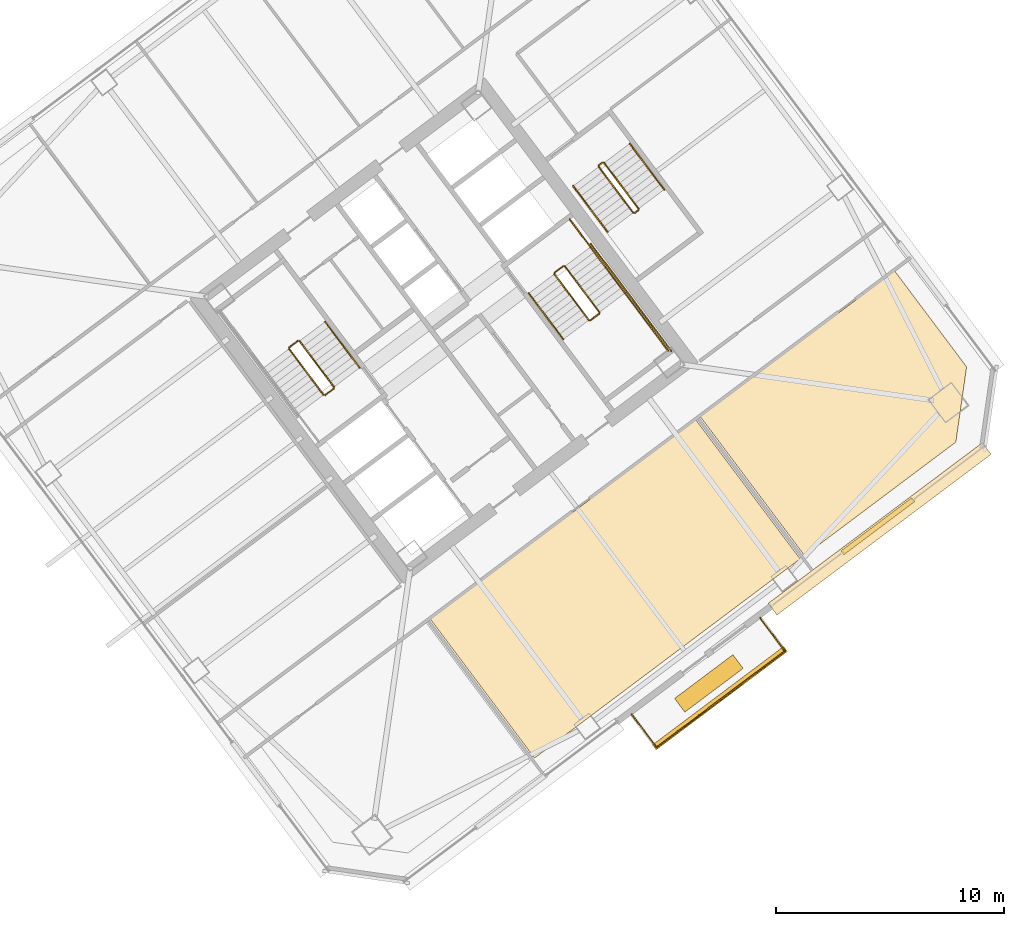
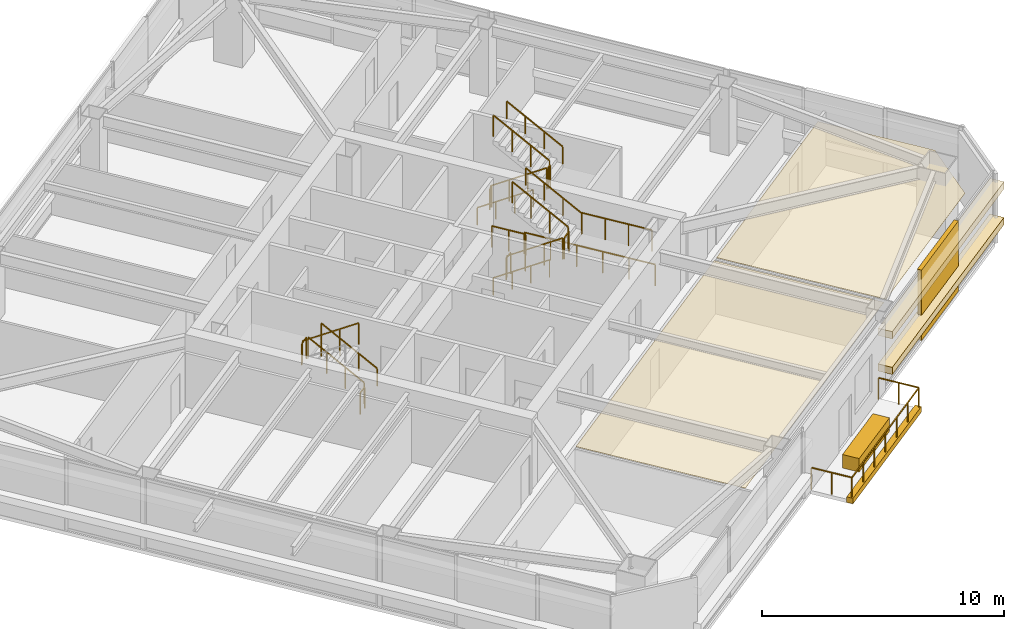
# One storey, part 45 of 46: 23 railings, 7 coverings.
"""IFC4 building model written with IfcOpenShell, lengths in metres."""

import ifcopenshell
import ifcopenshell.guid

model = None  # the IFC model being written
_history = None  # IfcOwnerHistory: only IFC2X3 demands one
_inside = {}  # id of a spatial element -> (the spatial element, [elements in it])
_under = {}  # id of a project, library or spatial element -> (it, [spatial elements below it])
_declared = {}  # id of a project -> (the project, [libraries it declares])
_typed = {}  # id of a type object -> (the type object, [elements of that type])
_made_of = {}  # id of a material, layer set ... -> (it, [elements and type objects made of it])


def new_model(schema):
    """Start an empty IFC model of exactly this schema.

    Asked for "IFC4X3", IfcOpenShell would pick the latest addendum, in which some entities
    have other attributes; the version numbers below select the first issue.
    IFC2X3 requires an IfcOwnerHistory on every rooted entity: one is made here for all.
    """
    global model, _history
    if schema == "IFC4X3":
        model = ifcopenshell.file(schema_version=(4, 3, 0, 0))
    else:
        model = ifcopenshell.file(schema=schema)
    _inside.clear()
    _under.clear()
    _declared.clear()
    _typed.clear()
    _made_of.clear()
    _history = None
    if model.schema == "IFC2X3":
        org = make("IfcOrganization", Name="unknown")
        user = make(
            "IfcPersonAndOrganization",
            ThePerson=make("IfcPerson", FamilyName="unknown"),
            TheOrganization=org,
        )
        app = make(
            "IfcApplication",
            ApplicationDeveloper=org,
            Version="unknown",
            ApplicationFullName="unknown",
            ApplicationIdentifier="unknown",
        )
        _history = make(
            "IfcOwnerHistory",
            OwningUser=user,
            OwningApplication=app,
            ChangeAction="ADDED",
            CreationDate=0,
        )
    return model


def make(cls, **values):
    """One entity of the class cls with the attributes given. An attribute that is None is left unset."""
    return model.create_entity(
        cls, **{name: value for name, value in values.items() if value is not None}
    )


def rooted(cls, **values):
    """An entity with a GlobalId (a new one), such as an element, a storey or a relation."""
    return make(cls, GlobalId=ifcopenshell.guid.new(), OwnerHistory=_history, **values)


def si_unit(unit_type, name, prefix=None):
    """IfcSIUnit, for example si_unit("LENGTHUNIT", "METRE", prefix="MILLI")."""
    return make("IfcSIUnit", UnitType=unit_type, Prefix=prefix, Name=name)


def assignment(units):
    """IfcUnitAssignment: the units of a project."""
    return None if units is None else make("IfcUnitAssignment", Units=units)


def point(xyz):
    """IfcCartesianPoint."""
    return None if xyz is None else make("IfcCartesianPoint", Coordinates=xyz)


def direction(xyz):
    """IfcDirection."""
    return None if xyz is None else make("IfcDirection", DirectionRatios=xyz)


def frame(location, z_axis=None, x_axis=None):
    """IfcAxis2Placement3D, a coordinate frame: its origin and axes. An axis left out is left unset."""
    return make(
        "IfcAxis2Placement3D",
        Location=point(location),
        Axis=direction(z_axis),
        RefDirection=direction(x_axis),
    )


def frame_2d(location, x_axis=None):
    """IfcAxis2Placement2D, a coordinate frame in the plane: its origin and x axis."""
    return make(
        "IfcAxis2Placement2D", Location=point(location), RefDirection=direction(x_axis)
    )


def origin():
    """The frame at (0, 0, 0) with its axes left unset."""
    return frame((0.0, 0.0, 0.0))


def origin_2d():
    """The frame at (0, 0) in the plane with its x axis left unset."""
    return frame_2d((0.0, 0.0))


def place(relative_to, where):
    """IfcLocalPlacement: puts the frame where relative to a parent placement (None: the world)."""
    return make(
        "IfcLocalPlacement", PlacementRelTo=relative_to, RelativePlacement=where
    )


def context(
    kind, dimensions, precision=None, world=None, true_north=None, identifier=None
):
    """IfcGeometricRepresentationContext, for example the 3D "Model" context."""
    return make(
        "IfcGeometricRepresentationContext",
        ContextIdentifier=identifier,
        ContextType=kind,
        CoordinateSpaceDimension=dimensions,
        Precision=precision,
        WorldCoordinateSystem=world,
        TrueNorth=true_north,
    )


def subcontext(parent, identifier, kind, view, scale=None):
    """IfcGeometricRepresentationSubContext, for example "Body" below "Model"."""
    return make(
        "IfcGeometricRepresentationSubContext",
        ContextIdentifier=identifier,
        ContextType=kind,
        ParentContext=parent,
        TargetScale=scale,
        TargetView=view,
    )


def project(units=None, contexts=None):
    """IfcProject with its units and contexts."""
    return rooted(
        "IfcProject",
        Name="project",
        RepresentationContexts=contexts,
        UnitsInContext=assignment(units),
    )


def spatial(cls, under=None, at=None, **own):
    """A site, building, storey or space (cls), placed at a placement, below another one or the project."""
    s = rooted(cls, ObjectPlacement=at, **own)
    if under is not None:
        _under.setdefault(under.id(), (under, []))[1].append(s)
    return s


def polyline(points):
    """IfcPolyline through the points."""
    return make("IfcPolyline", Points=[point(p) for p in points])


def profile(cls, at=None, kind="AREA", **sizes):
    """A parametric profile (cls). Its sizes go by their IFC names, for example OverallWidth=200.0."""
    return make(cls, ProfileType=kind, Position=at, **sizes)


def rectangle(**sizes):
    """IfcRectangleProfileDef."""
    return profile("IfcRectangleProfileDef", **sizes)


def outline(outer, holes=None, kind="AREA"):
    """IfcArbitraryClosedProfileDef: a profile drawn as a closed curve; with holes, ...WithVoids."""
    if holes is None:
        return make("IfcArbitraryClosedProfileDef", ProfileType=kind, OuterCurve=outer)
    return make(
        "IfcArbitraryProfileDefWithVoids",
        ProfileType=kind,
        OuterCurve=outer,
        InnerCurves=holes,
    )


def extrude(swept, where, along, depth):
    """IfcExtrudedAreaSolid: the profile swept, set in the frame where, extruded along a direction by depth."""
    return make(
        "IfcExtrudedAreaSolid",
        SweptArea=swept,
        Position=where,
        ExtrudedDirection=direction(along),
        Depth=depth,
    )


def shape(context_of_items, identifier, shape_type, items):
    """IfcShapeRepresentation: the items that make up one representation, for example the "Body"."""
    return make(
        "IfcShapeRepresentation",
        ContextOfItems=context_of_items,
        RepresentationIdentifier=identifier,
        RepresentationType=shape_type,
        Items=items,
    )


def material(Name=None, Category=None):
    """IfcMaterial."""
    return make("IfcMaterial", Name=Name, Category=Category)


def layer(
    of_material, thickness, ventilated=None, Name=None, Category=None, Priority=None
):
    """IfcMaterialLayer: one layer of a wall or slab, of a material (None: an air gap)."""
    return make(
        "IfcMaterialLayer",
        Material=of_material,
        LayerThickness=thickness,
        IsVentilated=ventilated,
        Name=Name,
        Category=Category,
        Priority=Priority,
    )


def layer_set(layers, Name=None):
    """IfcMaterialLayerSet."""
    return make("IfcMaterialLayerSet", MaterialLayers=layers, LayerSetName=Name)


def made_of(thing, what):
    """Note that an element or type object is made of a material, layer set ...; save() writes the relation."""
    if what is not None:
        _made_of.setdefault(what.id(), (what, []))[1].append(thing)
    return thing


def type_object(cls, material=None, **own):
    """A type object (cls), such as IfcWallType, which elements share."""
    return made_of(rooted(cls, **own), material)


def element(
    cls,
    number,
    at=None,
    inside=None,
    cuts=None,
    type_object=None,
    material=None,
    context=None,
    identifier="Body",
    shape_type=None,
    held_by="IfcProductDefinitionShape",
    body=None,
    shapes=None,
    **own,
):
    """One element of the class cls, such as IfcWall. Its Tag is "e" and its number.

    at: its placement. inside: the storey or other place that contains it. cuts: it is an
    opening in that element (IfcRelVoidsElement). A single representation is given by context,
    identifier, shape_type and body (its items); several are given by shapes. held_by: the class
    of the entity that holds the representations. save() writes the other relations.
    """
    e = rooted(cls, Tag="e%d" % number, ObjectPlacement=at, **own)
    if body is not None:
        shapes = [shape(context, identifier, shape_type, body)]
    if shapes is not None:
        e.Representation = make(held_by, Representations=shapes)
    if inside is not None:
        _inside.setdefault(inside.id(), (inside, []))[1].append(e)
    if cuts is not None:
        rooted(
            "IfcRelVoidsElement", RelatingBuildingElement=cuts, RelatedOpeningElement=e
        )
    if type_object is not None:
        _typed.setdefault(type_object.id(), (type_object, []))[1].append(e)
    return made_of(e, material)


def aggregate(whole, parts):
    """IfcRelAggregates: a whole, such as a stair, and the parts it consists of."""
    return rooted("IfcRelAggregates", RelatingObject=whole, RelatedObjects=parts)


def save(model, path):
    """Write the relations noted so far, then the file.

    IfcRelAggregates (storeys below a building ...), IfcRelContainedInSpatialStructure (elements
    in a storey), IfcRelDefinesByType, IfcRelAssociatesMaterial and IfcRelDeclares: one each for
    every whole, place, type object, material and project.
    """
    for whole, parts in _under.values():
        aggregate(whole, parts)
    for where, things in _inside.values():
        rooted(
            "IfcRelContainedInSpatialStructure",
            RelatedElements=things,
            RelatingStructure=where,
        )
    for kind, things in _typed.values():
        rooted("IfcRelDefinesByType", RelatedObjects=things, RelatingType=kind)
    for what, things in _made_of.values():
        rooted("IfcRelAssociatesMaterial", RelatedObjects=things, RelatingMaterial=what)
    for by, libraries in _declared.values():
        rooted("IfcRelDeclares", RelatingContext=by, RelatedDefinitions=libraries)
    model.write(path)


model = new_model("IFC4")

# Units and contexts
model_context = context("Model", 3, precision=1e-05, world=origin(), true_north=direction((0.0, 1.0)))
body_context = subcontext(model_context, "Body", "Model", "MODEL_VIEW")
ifc_project = project(units=[si_unit("LENGTHUNIT", "METRE"), si_unit("AREAUNIT", "SQUARE_METRE"), si_unit("VOLUMEUNIT", "CUBIC_METRE"), si_unit("PLANEANGLEUNIT", "RADIAN"), si_unit("MASSUNIT", "GRAM", prefix="KILO")], contexts=[model_context])

# Site, building, storey
site_placement = place(None, origin())
site = spatial("IfcSite", under=ifc_project, at=site_placement, CompositionType="ELEMENT")
building_placement = place(site_placement, origin())
building = spatial("IfcBuilding", under=site, at=building_placement, Name="Tashvorn Skyway Center", CompositionType="ELEMENT")
storey_placement = place(building_placement, frame((0.0, 0.0, 139.25)))
storey = spatial("IfcBuildingStorey", under=building, at=storey_placement, Name="L37", CompositionType="ELEMENT", Elevation=139.25)

# Coverings
ifc_material_1 = material(Name="Precast concrete C40/50", Category="concrete")
ifc_layer_1 = layer(ifc_material_1, 0.199951171875)
ifc_layer_set_1 = layer_set([ifc_layer_1], Name="Precast concrete C40/50")
covering_type_1 = type_object("IfcCoveringType", Name="COV-BRACE-CLAD", PredefinedType="CLADDING", material=ifc_layer_set_1)
covering_1_placement = place(storey_placement, frame((133.02001953125, 23.4150390625, 0.0), z_axis=(0.0, 0.0, 1.0), x_axis=(-0.799999996291, -0.600000004945, 0.0)))
element("IfcCovering", 1, at=covering_1_placement, inside=storey, type_object=covering_type_1, Name="Tower 2 L37 South Curtain Wall L Mega-Brace Cladding Band 1", PredefinedType="CLADDING", context=body_context, shape_type="SweptSolid", body=[
    extrude(rectangle(XDim=3.876708984375, YDim=0.199951171875, at=origin_2d()), origin(), (0.0, 0.0, 1.0), 3.550048828125),
])
ifc_material_2 = material(Name="Mineral-fibre acoustic ceiling tile on suspended grid")
ifc_layer_2 = layer(ifc_material_2, 0.02001953125)
ifc_layer_set_2 = layer_set([ifc_layer_2], Name="Mineral-fibre acoustic ceiling tile on suspended grid")
covering_type_2 = type_object("IfcCoveringType", Name="COV-CEIL-20", PredefinedType="CEILING", material=ifc_layer_set_2)
covering_2_placement = place(storey_placement, frame((0.0, 0.0, 2.702880859375)))
element("IfcCovering", 2, at=covering_2_placement, inside=storey, type_object=covering_type_2, Name="Tower 2 L37 Collaborative Studio Acoustic Ceiling", PredefinedType="CEILING", context=body_context, shape_type="SweptSolid", body=[
    extrude(outline(polyline([(113.39208984375, 19.343994140625), (125.0400390625, 28.080078125), (129.612060546875, 21.98388671875), (117.964111328125, 13.248046875), (113.39208984375, 19.343994140625)])), origin(), (0.0, 0.0, 1.0), 0.02001953125),
])
covering_3_placement = place(storey_placement, frame((0.0, 0.0, 2.702880859375)))
element("IfcCovering", 3, at=covering_3_placement, inside=storey, type_object=covering_type_2, Name="Tower 2 L37 Collaborative Studio Acoustic Ceiling", PredefinedType="CEILING", context=body_context, shape_type="SweptSolid", body=[
    extrude(outline(polyline([(129.803955078125, 22.1279296875), (125.23193359375, 28.22412109375), (133.760009765625, 34.6201171875), (136.916015625, 30.412109375), (136.444091796875, 27.10791015625), (129.803955078125, 22.1279296875)])), origin(), (0.0, 0.0, 1.0), 0.02001953125),
])
ifc_material_3 = material(Name="Perforated ceramic-coated bronze aluminium solar screen", Category="aluminium")
ifc_layer_3 = layer(ifc_material_3, 0.85009765625)
ifc_layer_set_3 = layer_set([ifc_layer_3], Name="Perforated ceramic-coated bronze aluminium solar screen")
covering_type_3 = type_object("IfcCoveringType", Name="COV-SOLAR-BAND", PredefinedType="CLADDING", material=ifc_layer_set_3)
for number, where, z_axis, x_axis, name in (
    (4, (133.10400390625, 23.302978515625, 0.919921875), (0.0, 0.0, 1.0), (-0.799999996291, -0.600000004945, 0.0), "L37 Perforated Ceramic-Metal Solar Screen Louvre Band South 1"),
    (5, (133.10400390625, 23.302978515625, 2.7197265625), (0.0, 0.0, 1.0), (-0.799999996291, -0.600000004945, 0.0), "L37 Perforated Ceramic-Metal Solar Screen Louvre Band South 2"),
):
    element("IfcCovering", number, at=place(storey_placement, frame(where, z_axis=z_axis, x_axis=x_axis)), inside=storey, type_object=covering_type_3, Name=name, PredefinedType="CLADDING", context=body_context, shape_type="SweptSolid", body=[
        extrude(rectangle(XDim=11.75, YDim=0.639892578125, at=origin_2d()), origin(), (0.0, 0.0, 1.0), 0.360107421875),
    ])
ifc_layer_4 = layer(ifc_material_1, 0.35009765625)
ifc_layer_set_4 = layer_set([ifc_layer_4], Name="Precast concrete C40/50")
covering_type_4 = type_object("IfcCoveringType", Name="COV-STONE-TRIM", PredefinedType="CLADDING", material=ifc_layer_set_4)
covering_4_placement = place(storey_placement, frame((126.095947265625, 15.8720703125, -0.16015625), z_axis=(0.0, 0.0, 1.0), x_axis=(-0.799999996291, -0.600000004945, 0.0)))
element("IfcCovering", 6, at=covering_4_placement, inside=storey, type_object=covering_type_4, Name="Tower 2 L37 Spiral Terrace Terracotta Fascia", PredefinedType="CLADDING", context=body_context, shape_type="SweptSolid", body=[
    extrude(rectangle(XDim=7.199951171875, YDim=0.280029296875, at=origin_2d()), origin(), (0.0, 0.0, 1.0), 0.280029296875),
])
covering_5_placement = place(storey_placement, frame((125.610107421875, 16.52001953125, 0.0), z_axis=(0.0, 0.0, 1.0), x_axis=(-0.799999996291, -0.600000004945, 0.0)))
element("IfcCovering", 7, at=covering_5_placement, inside=storey, type_object=covering_type_4, Name="Tower 2 L37 Spiral Terrace Planter", PredefinedType="CLADDING", context=body_context, shape_type="SweptSolid", body=[
    extrude(rectangle(XDim=3.199951171875, YDim=0.75, at=origin_2d()), origin(), (0.0, 0.0, 1.0), 0.679931640625),
])

# Railings
ifc_material_4 = material(Name="Galvanized steel S355", Category="steel")
railing_type_1 = type_object("IfcRailingType", Name="RAIL-GUARD-1120", PredefinedType="GUARDRAIL", material=ifc_material_4)
railing_1_placement = place(storey_placement, frame((122.22412109375, 15.16796875, 0.0)))
element("IfcRailing", 8, at=railing_1_placement, inside=storey, type_object=railing_type_1, Name="L37 Tower 2 Terrace Guardrail 01", PredefinedType="GUARDRAIL", context=body_context, shape_type="SweptSolid", body=[
    extrude(rectangle(XDim=0.048095703125, YDim=0.048095703125, at=origin_2d()), frame((0.0, 0.0, 1.09619140625), z_axis=(0.599914141212, -0.800064386893, 0.0), x_axis=(0.800064386893, 0.599914141212, 0.0)), (0.0, 0.0, 1.0), 1.81982421875),
    extrude(rectangle(XDim=0.0419921875, YDim=0.0419921875, at=origin_2d()), origin(), (0.0, 0.0, 1.0), 1.072021484375),
    extrude(rectangle(XDim=0.0419921875, YDim=0.0419921875, at=origin_2d()), frame((0.5458984375, -0.72802734375, 0.0)), (0.0, 0.0, 1.0), 1.072021484375),
    extrude(rectangle(XDim=0.0419921875, YDim=0.0419921875, at=origin_2d()), frame((1.091796875, -1.4560546875, 0.0)), (0.0, 0.0, 1.0), 1.072021484375),
])
railing_2_placement = place(storey_placement, frame((123.31591796875, 13.7119140625, 0.0)))
element("IfcRailing", 9, at=railing_2_placement, inside=storey, type_object=railing_type_1, Name="L37 Tower 2 Terrace Guardrail 02", PredefinedType="GUARDRAIL", context=body_context, shape_type="SweptSolid", body=[
    extrude(rectangle(XDim=0.048095703125, YDim=0.048095703125, at=origin_2d()), frame((0.0, 0.0, 1.09619140625), z_axis=(0.799995838574, 0.600005548528, 0.0), x_axis=(-0.600005548528, 0.799995838574, 0.0)), (0.0, 0.0, 1.0), 7.0400390625),
    extrude(rectangle(XDim=0.0419921875, YDim=0.0419921875, at=origin_2d()), origin(), (0.0, 0.0, 1.0), 1.072021484375),
    extrude(rectangle(XDim=0.0419921875, YDim=0.0419921875, at=origin_2d()), frame((0.938720703125, 0.7041015625, 0.0)), (0.0, 0.0, 1.0), 1.072021484375),
    extrude(rectangle(XDim=0.0419921875, YDim=0.0419921875, at=origin_2d()), frame((1.87744140625, 1.407958984375, 0.0)), (0.0, 0.0, 1.0), 1.072021484375),
    extrude(rectangle(XDim=0.0419921875, YDim=0.0419921875, at=origin_2d()), frame((2.81591796875, 2.112060546875, 0.0)), (0.0, 0.0, 1.0), 1.072021484375),
    extrude(rectangle(XDim=0.0419921875, YDim=0.0419921875, at=origin_2d()), frame((3.754638671875, 2.816162109375, 0.0)), (0.0, 0.0, 1.0), 1.072021484375),
    extrude(rectangle(XDim=0.0419921875, YDim=0.0419921875, at=origin_2d()), frame((4.693359375, 3.52001953125, 0.0)), (0.0, 0.0, 1.0), 1.072021484375),
    extrude(rectangle(XDim=0.0419921875, YDim=0.0419921875, at=origin_2d()), frame((5.632080078125, 4.22412109375, 0.0)), (0.0, 0.0, 1.0), 1.072021484375),
])
railing_3_placement = place(storey_placement, frame((128.947998046875, 17.93603515625, 0.0)))
element("IfcRailing", 10, at=railing_3_placement, inside=storey, type_object=railing_type_1, Name="L37 Tower 2 Terrace Guardrail 03", PredefinedType="GUARDRAIL", context=body_context, shape_type="SweptSolid", body=[
    extrude(rectangle(XDim=0.048095703125, YDim=0.048095703125, at=origin_2d()), frame((0.0, 0.0, 1.09619140625), z_axis=(-0.6, 0.8, 0.0), x_axis=(-0.8, -0.6, 0.0)), (0.0, 0.0, 1.0), 1.820068359375),
    extrude(rectangle(XDim=0.0419921875, YDim=0.0419921875, at=origin_2d()), origin(), (0.0, 0.0, 1.0), 1.072021484375),
    extrude(rectangle(XDim=0.0419921875, YDim=0.0419921875, at=origin_2d()), frame((-0.5458984375, 0.72802734375, 0.0)), (0.0, 0.0, 1.0), 1.072021484375),
    extrude(rectangle(XDim=0.0419921875, YDim=0.0419921875, at=origin_2d()), frame((-1.092041015625, 1.4560546875, 0.0)), (0.0, 0.0, 1.0), 1.072021484375),
])
ifc_material_5 = material(Name="Brushed stainless steel 316", Category="steel")
railing_type_2 = type_object("IfcRailingType", Name="RAIL-HAND-920", PredefinedType="HANDRAIL", material=ifc_material_5)
railing_4_placement = place(storey_placement, frame((110.2880859375, 30.365966796875, 0.177490234375)))
element("IfcRailing", 11, at=railing_4_placement, inside=storey, type_object=railing_type_2, Name="L37 ST-T2-1 stair handrail 1", PredefinedType="HANDRAIL", context=body_context, shape_type="SweptSolid", body=[
    extrude(rectangle(XDim=0.048095703125, YDim=0.048095703125, at=origin_2d()), frame((0.0, 0.0, 0.8759765625), z_axis=(-0.506801609611, 0.675680931896, 0.535357270211), x_axis=(-0.799976749893, -0.600030998891, 0.0)), (0.0, 0.0, 1.0), 2.98388671875),
    extrude(rectangle(XDim=0.0419921875, YDim=0.0419921875, at=origin_2d()), origin(), (0.0, 0.0, 1.0), 0.851806640625),
    extrude(rectangle(XDim=0.0419921875, YDim=0.0419921875, at=origin_2d()), frame((-0.504150390625, 0.672119140625, 0.532470703125)), (0.0, 0.0, 1.0), 0.851806640625),
    extrude(rectangle(XDim=0.0419921875, YDim=0.0419921875, at=origin_2d()), frame((-1.008056640625, 1.343994140625, 1.06494140625)), (0.0, 0.0, 1.0), 0.851806640625),
    extrude(rectangle(XDim=0.0419921875, YDim=0.0419921875, at=origin_2d()), frame((-1.51220703125, 2.01611328125, 1.597412109375)), (0.0, 0.0, 1.0), 0.851806640625),
])
railing_5_placement = place(storey_placement, frame((117.7119140625, 33.634033203125, 0.177490234375)))
element("IfcRailing", 12, at=railing_5_placement, inside=storey, type_object=railing_type_2, Name="L37 ST-T2-2 stair handrail 1", PredefinedType="HANDRAIL", context=body_context, shape_type="SweptSolid", body=[
    extrude(rectangle(XDim=0.048095703125, YDim=0.048095703125, at=origin_2d()), frame((0.0, 0.0, 0.8759765625), z_axis=(0.506801609611, -0.675680931896, 0.535357270211), x_axis=(0.799976749893, 0.600030998891, 0.0)), (0.0, 0.0, 1.0), 2.98388671875),
    extrude(rectangle(XDim=0.0419921875, YDim=0.0419921875, at=origin_2d()), origin(), (0.0, 0.0, 1.0), 0.851806640625),
    extrude(rectangle(XDim=0.0419921875, YDim=0.0419921875, at=origin_2d()), frame((0.504150390625, -0.672119140625, 0.532470703125)), (0.0, 0.0, 1.0), 0.851806640625),
    extrude(rectangle(XDim=0.0419921875, YDim=0.0419921875, at=origin_2d()), frame((1.008056640625, -1.343994140625, 1.06494140625)), (0.0, 0.0, 1.0), 0.851806640625),
    extrude(rectangle(XDim=0.0419921875, YDim=0.0419921875, at=origin_2d()), frame((1.51220703125, -2.01611328125, 1.597412109375)), (0.0, 0.0, 1.0), 0.851806640625),
])
railing_6_placement = place(storey_placement, frame((121.927978515625, 33.64599609375, 1.952392578125)))
element("IfcRailing", 13, at=railing_6_placement, inside=storey, type_object=railing_type_2, Name="L37 ST-T2-2 stair handrail 2", PredefinedType="HANDRAIL", context=body_context, shape_type="SweptSolid", body=[
    extrude(rectangle(XDim=0.048095703125, YDim=0.048095703125, at=origin_2d()), frame((0.0, 0.0, 0.8759765625), z_axis=(-0.506718600913, 0.675679348675, 0.535437836974), x_axis=(-0.800023250257, -0.599968998406, 0.0)), (0.0, 0.0, 1.0), 2.98388671875),
    extrude(rectangle(XDim=0.0419921875, YDim=0.0419921875, at=origin_2d()), origin(), (0.0, 0.0, 1.0), 0.851806640625),
    extrude(rectangle(XDim=0.0419921875, YDim=0.0419921875, at=origin_2d()), frame((-0.50390625, 0.672119140625, 0.532470703125)), (0.0, 0.0, 1.0), 0.851806640625),
    extrude(rectangle(XDim=0.0419921875, YDim=0.0419921875, at=origin_2d()), frame((-1.008056640625, 1.343994140625, 1.065185546875)), (0.0, 0.0, 1.0), 0.851806640625),
    extrude(rectangle(XDim=0.0419921875, YDim=0.0419921875, at=origin_2d()), frame((-1.511962890625, 2.01611328125, 1.59765625)), (0.0, 0.0, 1.0), 0.851806640625),
])
railing_7_placement = place(storey_placement, frame((119.656005859375, 38.342041015625, 0.177490234375)))
element("IfcRailing", 14, at=railing_7_placement, inside=storey, type_object=railing_type_2, Name="L37 ST-T2-3 stair handrail 1", PredefinedType="HANDRAIL", context=body_context, shape_type="SweptSolid", body=[
    extrude(rectangle(XDim=0.048095703125, YDim=0.048095703125, at=origin_2d()), frame((0.0, 0.0, 0.8759765625), z_axis=(0.506740800098, -0.675708949977, 0.535379469569), x_axis=(0.800023250257, 0.599968998406, 0.0)), (0.0, 0.0, 1.0), 2.983642578125),
    extrude(rectangle(XDim=0.0419921875, YDim=0.0419921875, at=origin_2d()), origin(), (0.0, 0.0, 1.0), 0.851806640625),
    extrude(rectangle(XDim=0.0419921875, YDim=0.0419921875, at=origin_2d()), frame((0.50390625, -0.672119140625, 0.532470703125)), (0.0, 0.0, 1.0), 0.851806640625),
    extrude(rectangle(XDim=0.0419921875, YDim=0.0419921875, at=origin_2d()), frame((1.008056640625, -1.343994140625, 1.06494140625)), (0.0, 0.0, 1.0), 0.851806640625),
    extrude(rectangle(XDim=0.0419921875, YDim=0.0419921875, at=origin_2d()), frame((1.511962890625, -2.01611328125, 1.597412109375)), (0.0, 0.0, 1.0), 0.851806640625),
])
railing_8_placement = place(storey_placement, frame((123.64794921875, 38.18603515625, 1.952392578125)))
element("IfcRailing", 15, at=railing_8_placement, inside=storey, type_object=railing_type_2, Name="L37 ST-T2-3 stair handrail 2", PredefinedType="HANDRAIL", context=body_context, shape_type="SweptSolid", body=[
    extrude(rectangle(XDim=0.048095703125, YDim=0.048095703125, at=origin_2d()), frame((0.0, 0.0, 0.8759765625), z_axis=(-0.50674661542, 0.675634878657, 0.535467439255), x_axis=(-0.79998837352, -0.60001550166, 0.0)), (0.0, 0.0, 1.0), 2.983642578125),
    extrude(rectangle(XDim=0.0419921875, YDim=0.0419921875, at=origin_2d()), origin(), (0.0, 0.0, 1.0), 0.851806640625),
    extrude(rectangle(XDim=0.0419921875, YDim=0.0419921875, at=origin_2d()), frame((-0.50390625, 0.671875, 0.532470703125)), (0.0, 0.0, 1.0), 0.851806640625),
    extrude(rectangle(XDim=0.0419921875, YDim=0.0419921875, at=origin_2d()), frame((-1.008056640625, 1.343994140625, 1.065185546875)), (0.0, 0.0, 1.0), 0.851806640625),
    extrude(rectangle(XDim=0.0419921875, YDim=0.0419921875, at=origin_2d()), frame((-1.511962890625, 2.015869140625, 1.59765625)), (0.0, 0.0, 1.0), 0.851806640625),
])
ifc_material_6 = material(Name="Painted galvanized steel S355", Category="steel")
railing_type_3 = type_object("IfcRailingType", Name="RAIL-STGUARD-1100", PredefinedType="GUARDRAIL", material=ifc_material_6)
railing_9_placement = place(storey_placement, frame((109.16796875, 29.52587890625, 0.177490234375)))
element("IfcRailing", 16, at=railing_9_placement, inside=storey, type_object=railing_type_3, Name="L37 ST-T2-1 stair guard 1", PredefinedType="GUARDRAIL", context=body_context, shape_type="SweptSolid", body=[
    extrude(rectangle(XDim=0.048095703125, YDim=0.048095703125, at=origin_2d()), frame((0.0, 0.0, 1.076171875), z_axis=(-0.506740800098, 0.675708949977, 0.535379469569), x_axis=(-0.800023250257, -0.599968998406, 0.0)), (0.0, 0.0, 1.0), 2.983642578125),
    extrude(rectangle(XDim=0.0419921875, YDim=0.0419921875, at=origin_2d()), origin(), (0.0, 0.0, 1.0), 1.052001953125),
    extrude(rectangle(XDim=0.0419921875, YDim=0.0419921875, at=origin_2d()), frame((-0.50390625, 0.672119140625, 0.532470703125)), (0.0, 0.0, 1.0), 1.052001953125),
    extrude(rectangle(XDim=0.0419921875, YDim=0.0419921875, at=origin_2d()), frame((-1.008056640625, 1.343994140625, 1.06494140625)), (0.0, 0.0, 1.0), 1.052001953125),
    extrude(rectangle(XDim=0.0419921875, YDim=0.0419921875, at=origin_2d()), frame((-1.511962890625, 2.01611328125, 1.597412109375)), (0.0, 0.0, 1.0), 1.052001953125),
])
railing_10_placement = place(storey_placement, frame((107.5859375, 31.552001953125, 1.77490234375)))
element("IfcRailing", 17, at=railing_10_placement, inside=storey, type_object=railing_type_3, Name="L37 ST-T2-1 stair guard 2", PredefinedType="GUARDRAIL", context=body_context, shape_type="SweptSolid", body=[
    extrude(rectangle(XDim=0.048095703125, YDim=0.048095703125, at=origin_2d()), frame((0.0, 0.0, 1.076171875), z_axis=(-0.799938970639, -0.600081363861, 0.0), x_axis=(0.600081363861, -0.799938970639, 0.0)), (0.0, 0.0, 1.0), 0.47998046875),
    extrude(rectangle(XDim=0.0419921875, YDim=0.0419921875, at=origin_2d()), origin(), (0.0, 0.0, 1.0), 1.052001953125),
    extrude(rectangle(XDim=0.0419921875, YDim=0.0419921875, at=origin_2d()), frame((-0.384033203125, -0.2880859375, 0.0)), (0.0, 0.0, 1.0), 1.052001953125),
])
railing_11_placement = place(storey_placement, frame((107.19189453125, 31.194091796875, 1.952392578125)))
element("IfcRailing", 18, at=railing_11_placement, inside=storey, type_object=railing_type_3, Name="L37 ST-T2-1 stair guard 4", PredefinedType="GUARDRAIL", context=body_context, shape_type="SweptSolid", body=[
    extrude(rectangle(XDim=0.048095703125, YDim=0.048095703125, at=origin_2d()), frame((0.0, 0.0, 1.076171875), z_axis=(0.506779409603, -0.675651334276, 0.53541563714), x_axis=(0.799976749893, 0.600030998891, 0.0)), (0.0, 0.0, 1.0), 2.98388671875),
    extrude(rectangle(XDim=0.0419921875, YDim=0.0419921875, at=origin_2d()), origin(), (0.0, 0.0, 1.0), 1.052001953125),
    extrude(rectangle(XDim=0.0419921875, YDim=0.0419921875, at=origin_2d()), frame((0.504150390625, -0.672119140625, 0.532470703125)), (0.0, 0.0, 1.0), 1.052001953125),
    extrude(rectangle(XDim=0.0419921875, YDim=0.0419921875, at=origin_2d()), frame((1.008056640625, -1.343994140625, 1.065185546875)), (0.0, 0.0, 1.0), 1.052001953125),
    extrude(rectangle(XDim=0.0419921875, YDim=0.0419921875, at=origin_2d()), frame((1.51220703125, -2.01611328125, 1.59765625)), (0.0, 0.0, 1.0), 1.052001953125),
])
railing_12_placement = place(storey_placement, frame((109.157958984375, 29.4560546875, 0.0)))
element("IfcRailing", 19, at=railing_12_placement, inside=storey, type_object=railing_type_3, Name="L37 ST-T2-1 stair guard 5", PredefinedType="GUARDRAIL", context=body_context, shape_type="SweptSolid", body=[
    extrude(rectangle(XDim=0.048095703125, YDim=0.048095703125, at=origin_2d()), frame((0.0, 0.0, 1.076171875), z_axis=(-0.799938970639, -0.600081363861, 0.0), x_axis=(0.600081363861, -0.799938970639, 0.0)), (0.0, 0.0, 1.0), 0.47998046875),
    extrude(rectangle(XDim=0.0419921875, YDim=0.0419921875, at=origin_2d()), origin(), (0.0, 0.0, 1.0), 1.052001953125),
    extrude(rectangle(XDim=0.0419921875, YDim=0.0419921875, at=origin_2d()), frame((-0.384033203125, -0.2880859375, 0.0)), (0.0, 0.0, 1.0), 1.052001953125),
])
railing_13_placement = place(storey_placement, frame((118.83203125, 34.47412109375, 0.177490234375)))
element("IfcRailing", 20, at=railing_13_placement, inside=storey, type_object=railing_type_3, Name="L37 ST-T2-2 stair guard 1", PredefinedType="GUARDRAIL", context=body_context, shape_type="SweptSolid", body=[
    extrude(rectangle(XDim=0.048095703125, YDim=0.048095703125, at=origin_2d()), frame((0.0, 0.0, 1.076171875), z_axis=(0.506740800098, -0.675708949977, 0.535379469569), x_axis=(0.800023250257, 0.599968998406, 0.0)), (0.0, 0.0, 1.0), 2.983642578125),
    extrude(rectangle(XDim=0.0419921875, YDim=0.0419921875, at=origin_2d()), origin(), (0.0, 0.0, 1.0), 1.052001953125),
    extrude(rectangle(XDim=0.0419921875, YDim=0.0419921875, at=origin_2d()), frame((0.50390625, -0.672119140625, 0.532470703125)), (0.0, 0.0, 1.0), 1.052001953125),
    extrude(rectangle(XDim=0.0419921875, YDim=0.0419921875, at=origin_2d()), frame((1.008056640625, -1.343994140625, 1.06494140625)), (0.0, 0.0, 1.0), 1.052001953125),
    extrude(rectangle(XDim=0.0419921875, YDim=0.0419921875, at=origin_2d()), frame((1.511962890625, -2.01611328125, 1.597412109375)), (0.0, 0.0, 1.0), 1.052001953125),
])
railing_14_placement = place(storey_placement, frame((120.4140625, 32.447998046875, 1.77490234375)))
element("IfcRailing", 21, at=railing_14_placement, inside=storey, type_object=railing_type_3, Name="L37 ST-T2-2 stair guard 2", PredefinedType="GUARDRAIL", context=body_context, shape_type="SweptSolid", body=[
    extrude(rectangle(XDim=0.048095703125, YDim=0.048095703125, at=origin_2d()), frame((0.0, 0.0, 1.076171875), z_axis=(0.799938970639, 0.600081363861, 0.0), x_axis=(-0.600081363861, 0.799938970639, 0.0)), (0.0, 0.0, 1.0), 0.47998046875),
    extrude(rectangle(XDim=0.0419921875, YDim=0.0419921875, at=origin_2d()), origin(), (0.0, 0.0, 1.0), 1.052001953125),
    extrude(rectangle(XDim=0.0419921875, YDim=0.0419921875, at=origin_2d()), frame((0.384033203125, 0.2880859375, 0.0)), (0.0, 0.0, 1.0), 1.052001953125),
])
railing_15_placement = place(storey_placement, frame((121.927978515625, 33.64599609375, 1.77490234375)))
element("IfcRailing", 22, at=railing_15_placement, inside=storey, type_object=railing_type_3, Name="L37 ST-T2-2 stair guard 3", PredefinedType="GUARDRAIL", context=body_context, shape_type="SweptSolid", body=[
    extrude(rectangle(XDim=0.048095703125, YDim=0.048095703125, at=origin_2d()), frame((0.0, 0.0, 1.076171875), z_axis=(0.599987638607, -0.800009270896, 0.0), x_axis=(0.800009270896, 0.599987638607, 0.0)), (0.0, 0.0, 1.0), 3.16015625),
    extrude(rectangle(XDim=0.0419921875, YDim=0.0419921875, at=origin_2d()), origin(), (0.0, 0.0, 1.0), 1.052001953125),
    extrude(rectangle(XDim=0.0419921875, YDim=0.0419921875, at=origin_2d()), frame((0.632080078125, -0.8427734375, 0.0)), (0.0, 0.0, 1.0), 1.052001953125),
    extrude(rectangle(XDim=0.0419921875, YDim=0.0419921875, at=origin_2d()), frame((1.263916015625, -1.685302734375, 0.0)), (0.0, 0.0, 1.0), 1.052001953125),
    extrude(rectangle(XDim=0.0419921875, YDim=0.0419921875, at=origin_2d()), frame((1.89599609375, -2.528076171875, 0.0)), (0.0, 0.0, 1.0), 1.052001953125),
])
railing_16_placement = place(storey_placement, frame((120.80810546875, 32.805908203125, 1.952392578125)))
element("IfcRailing", 23, at=railing_16_placement, inside=storey, type_object=railing_type_3, Name="L37 ST-T2-2 stair guard 4", PredefinedType="GUARDRAIL", context=body_context, shape_type="SweptSolid", body=[
    extrude(rectangle(XDim=0.048095703125, YDim=0.048095703125, at=origin_2d()), frame((0.0, 0.0, 1.076171875), z_axis=(-0.506779409603, 0.675651334276, 0.53541563714), x_axis=(-0.799976749893, -0.600030998891, 0.0)), (0.0, 0.0, 1.0), 2.98388671875),
    extrude(rectangle(XDim=0.0419921875, YDim=0.0419921875, at=origin_2d()), origin(), (0.0, 0.0, 1.0), 1.052001953125),
    extrude(rectangle(XDim=0.0419921875, YDim=0.0419921875, at=origin_2d()), frame((-0.504150390625, 0.672119140625, 0.532470703125)), (0.0, 0.0, 1.0), 1.052001953125),
    extrude(rectangle(XDim=0.0419921875, YDim=0.0419921875, at=origin_2d()), frame((-1.008056640625, 1.343994140625, 1.065185546875)), (0.0, 0.0, 1.0), 1.052001953125),
    extrude(rectangle(XDim=0.0419921875, YDim=0.0419921875, at=origin_2d()), frame((-1.51220703125, 2.01611328125, 1.59765625)), (0.0, 0.0, 1.0), 1.052001953125),
])
railing_17_placement = place(storey_placement, frame((118.842041015625, 34.5439453125, 0.0)))
element("IfcRailing", 24, at=railing_17_placement, inside=storey, type_object=railing_type_3, Name="L37 ST-T2-2 stair guard 5", PredefinedType="GUARDRAIL", context=body_context, shape_type="SweptSolid", body=[
    extrude(rectangle(XDim=0.048095703125, YDim=0.048095703125, at=origin_2d()), frame((0.0, 0.0, 1.076171875), z_axis=(0.799938970639, 0.600081363861, 0.0), x_axis=(-0.600081363861, 0.799938970639, 0.0)), (0.0, 0.0, 1.0), 0.47998046875),
    extrude(rectangle(XDim=0.0419921875, YDim=0.0419921875, at=origin_2d()), origin(), (0.0, 0.0, 1.0), 1.052001953125),
    extrude(rectangle(XDim=0.0419921875, YDim=0.0419921875, at=origin_2d()), frame((0.384033203125, 0.2880859375, 0.0)), (0.0, 0.0, 1.0), 1.052001953125),
])
railing_18_placement = place(storey_placement, frame((119.50390625, 36.8779296875, 0.0)))
element("IfcRailing", 25, at=railing_18_placement, inside=storey, type_object=railing_type_3, Name="L37 ST-T2-2 stair guard 6", PredefinedType="GUARDRAIL", context=body_context, shape_type="SweptSolid", body=[
    extrude(rectangle(XDim=0.048095703125, YDim=0.048095703125, at=origin_2d()), frame((0.0, 0.0, 1.076171875), z_axis=(0.600102796382, -0.799922892393, 0.0), x_axis=(0.799922892393, 0.600102796382, 0.0)), (0.0, 0.0, 1.0), 1.52001953125),
    extrude(rectangle(XDim=0.0419921875, YDim=0.0419921875, at=origin_2d()), origin(), (0.0, 0.0, 1.0), 1.052001953125),
    extrude(rectangle(XDim=0.0419921875, YDim=0.0419921875, at=origin_2d()), frame((0.4560546875, -0.60791015625, 0.0)), (0.0, 0.0, 1.0), 1.052001953125),
    extrude(rectangle(XDim=0.0419921875, YDim=0.0419921875, at=origin_2d()), frame((0.912109375, -1.2158203125, 0.0)), (0.0, 0.0, 1.0), 1.052001953125),
])
railing_19_placement = place(storey_placement, frame((120.43603515625, 35.802001953125, 0.0)))
element("IfcRailing", 26, at=railing_19_placement, inside=storey, type_object=railing_type_3, Name="L37 ST-T2-2 stair guard 7", PredefinedType="GUARDRAIL", context=body_context, shape_type="SweptSolid", body=[
    extrude(rectangle(XDim=0.048095703125, YDim=0.048095703125, at=origin_2d()), frame((0.0, 0.0, 1.076171875), z_axis=(0.6, -0.8, 0.0), x_axis=(0.8, 0.6, 0.0)), (0.0, 0.0, 1.0), 5.880126953125),
    extrude(rectangle(XDim=0.0419921875, YDim=0.0419921875, at=origin_2d()), origin(), (0.0, 0.0, 1.0), 1.052001953125),
    extrude(rectangle(XDim=0.0419921875, YDim=0.0419921875, at=origin_2d()), frame((0.70556640625, -0.94091796875, 0.0)), (0.0, 0.0, 1.0), 1.052001953125),
    extrude(rectangle(XDim=0.0419921875, YDim=0.0419921875, at=origin_2d()), frame((1.4111328125, -1.881591796875, 0.0)), (0.0, 0.0, 1.0), 1.052001953125),
    extrude(rectangle(XDim=0.0419921875, YDim=0.0419921875, at=origin_2d()), frame((2.116943359375, -2.822509765625, 0.0)), (0.0, 0.0, 1.0), 1.052001953125),
    extrude(rectangle(XDim=0.0419921875, YDim=0.0419921875, at=origin_2d()), frame((2.822509765625, -3.76318359375, 0.0)), (0.0, 0.0, 1.0), 1.052001953125),
    extrude(rectangle(XDim=0.0419921875, YDim=0.0419921875, at=origin_2d()), frame((3.528076171875, -4.7041015625, 0.0)), (0.0, 0.0, 1.0), 1.052001953125),
])
railing_20_placement = place(storey_placement, frame((120.77587890625, 39.181884765625, 0.177490234375)))
element("IfcRailing", 27, at=railing_20_placement, inside=storey, type_object=railing_type_3, Name="L37 ST-T2-3 stair guard 1", PredefinedType="GUARDRAIL", context=body_context, shape_type="SweptSolid", body=[
    extrude(rectangle(XDim=0.048095703125, YDim=0.048095703125, at=origin_2d()), frame((0.0, 0.0, 1.076171875), z_axis=(0.506829628838, -0.67563646195, 0.535386868177), x_axis=(0.799941867976, 0.600077501544, 0.0)), (0.0, 0.0, 1.0), 2.983642578125),
    extrude(rectangle(XDim=0.0419921875, YDim=0.0419921875, at=origin_2d()), origin(), (0.0, 0.0, 1.0), 1.052001953125),
    extrude(rectangle(XDim=0.0419921875, YDim=0.0419921875, at=origin_2d()), frame((0.504150390625, -0.671875, 0.532470703125)), (0.0, 0.0, 1.0), 1.052001953125),
    extrude(rectangle(XDim=0.0419921875, YDim=0.0419921875, at=origin_2d()), frame((1.008056640625, -1.343994140625, 1.06494140625)), (0.0, 0.0, 1.0), 1.052001953125),
    extrude(rectangle(XDim=0.0419921875, YDim=0.0419921875, at=origin_2d()), frame((1.51220703125, -2.015869140625, 1.597412109375)), (0.0, 0.0, 1.0), 1.052001953125),
])
railing_21_placement = place(storey_placement, frame((122.35791015625, 37.156005859375, 1.77490234375)))
element("IfcRailing", 28, at=railing_21_placement, inside=storey, type_object=railing_type_3, Name="L37 ST-T2-3 stair guard 2", PredefinedType="GUARDRAIL", context=body_context, shape_type="SweptSolid", body=[
    extrude(rectangle(XDim=0.048095703125, YDim=0.048095703125, at=origin_2d()), frame((0.0, 0.0, 1.076171875), z_axis=(0.800585412921, 0.599218655098, 0.0), x_axis=(-0.599218655098, 0.800585412921, 0.0)), (0.0, 0.0, 1.0), 0.199951171875),
    extrude(rectangle(XDim=0.0419921875, YDim=0.0419921875, at=origin_2d()), origin(), (0.0, 0.0, 1.0), 1.052001953125),
    extrude(rectangle(XDim=0.0419921875, YDim=0.0419921875, at=origin_2d()), frame((0.16015625, 0.119873046875, 0.0)), (0.0, 0.0, 1.0), 1.052001953125),
])
railing_22_placement = place(storey_placement, frame((122.528076171875, 37.345947265625, 1.952392578125)))
element("IfcRailing", 29, at=railing_22_placement, inside=storey, type_object=railing_type_3, Name="L37 ST-T2-3 stair guard 3", PredefinedType="GUARDRAIL", context=body_context, shape_type="SweptSolid", body=[
    extrude(rectangle(XDim=0.048095703125, YDim=0.048095703125, at=origin_2d()), frame((0.0, 0.0, 1.076171875), z_axis=(-0.506718600913, 0.675679348675, 0.535437836974), x_axis=(-0.800023250257, -0.599968998406, 0.0)), (0.0, 0.0, 1.0), 2.98388671875),
    extrude(rectangle(XDim=0.0419921875, YDim=0.0419921875, at=origin_2d()), origin(), (0.0, 0.0, 1.0), 1.052001953125),
    extrude(rectangle(XDim=0.0419921875, YDim=0.0419921875, at=origin_2d()), frame((-0.50390625, 0.672119140625, 0.532470703125)), (0.0, 0.0, 1.0), 1.052001953125),
    extrude(rectangle(XDim=0.0419921875, YDim=0.0419921875, at=origin_2d()), frame((-1.008056640625, 1.343994140625, 1.065185546875)), (0.0, 0.0, 1.0), 1.052001953125),
    extrude(rectangle(XDim=0.0419921875, YDim=0.0419921875, at=origin_2d()), frame((-1.511962890625, 2.01611328125, 1.59765625)), (0.0, 0.0, 1.0), 1.052001953125),
])
railing_23_placement = place(storey_placement, frame((120.785888671875, 39.251953125, 0.0)))
element("IfcRailing", 30, at=railing_23_placement, inside=storey, type_object=railing_type_3, Name="L37 ST-T2-3 stair guard 4", PredefinedType="GUARDRAIL", context=body_context, shape_type="SweptSolid", body=[
    extrude(rectangle(XDim=0.048095703125, YDim=0.048095703125, at=origin_2d()), frame((0.0, 0.0, 1.076171875), z_axis=(0.8, 0.6, 0.0), x_axis=(-0.6, 0.8, 0.0)), (0.0, 0.0, 1.0), 0.2001953125),
    extrude(rectangle(XDim=0.0419921875, YDim=0.0419921875, at=origin_2d()), origin(), (0.0, 0.0, 1.0), 1.052001953125),
    extrude(rectangle(XDim=0.0419921875, YDim=0.0419921875, at=origin_2d()), frame((0.16015625, 0.1201171875, 0.0)), (0.0, 0.0, 1.0), 1.052001953125),
])

save(model, "model.ifc")
